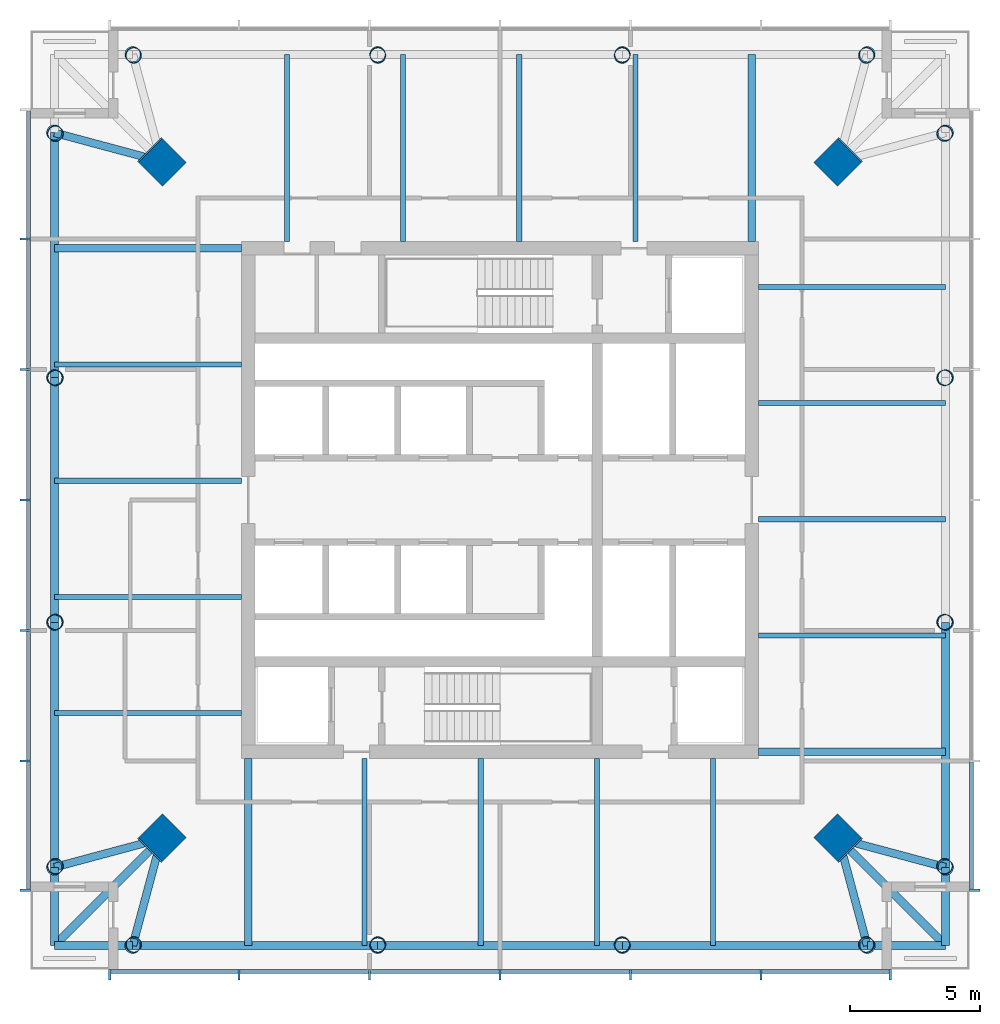
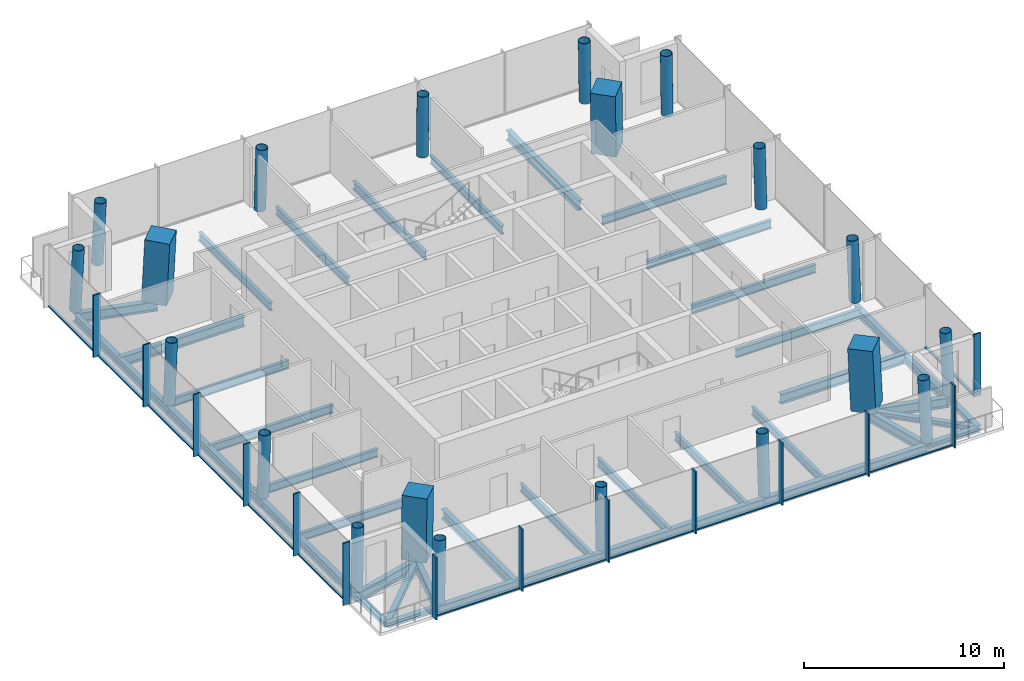
# One storey, part 1 of 7: 38 beams, 27 members, 20 columns, 3 elements without a shape of their own.
"""IFC4 building model written with IfcOpenShell, lengths in metres."""

import ifcopenshell
import ifcopenshell.guid

model = None  # the IFC model being written
_history = None  # IfcOwnerHistory: only IFC2X3 demands one
_inside = {}  # id of a spatial element -> (the spatial element, [elements in it])
_under = {}  # id of a project, library or spatial element -> (it, [spatial elements below it])
_declared = {}  # id of a project -> (the project, [libraries it declares])
_typed = {}  # id of a type object -> (the type object, [elements of that type])
_made_of = {}  # id of a material, layer set ... -> (it, [elements and type objects made of it])


def new_model(schema):
    """Start an empty IFC model of exactly this schema.

    Asked for "IFC4X3", IfcOpenShell would pick the latest addendum, in which some entities
    have other attributes; the version numbers below select the first issue.
    IFC2X3 requires an IfcOwnerHistory on every rooted entity: one is made here for all.
    """
    global model, _history
    if schema == "IFC4X3":
        model = ifcopenshell.file(schema_version=(4, 3, 0, 0))
    else:
        model = ifcopenshell.file(schema=schema)
    _inside.clear()
    _under.clear()
    _declared.clear()
    _typed.clear()
    _made_of.clear()
    _history = None
    if model.schema == "IFC2X3":
        org = make("IfcOrganization", Name="unknown")
        user = make(
            "IfcPersonAndOrganization",
            ThePerson=make("IfcPerson", FamilyName="unknown"),
            TheOrganization=org,
        )
        app = make(
            "IfcApplication",
            ApplicationDeveloper=org,
            Version="unknown",
            ApplicationFullName="unknown",
            ApplicationIdentifier="unknown",
        )
        _history = make(
            "IfcOwnerHistory",
            OwningUser=user,
            OwningApplication=app,
            ChangeAction="ADDED",
            CreationDate=0,
        )
    return model


def make(cls, **values):
    """One entity of the class cls with the attributes given. An attribute that is None is left unset."""
    return model.create_entity(
        cls, **{name: value for name, value in values.items() if value is not None}
    )


def rooted(cls, **values):
    """An entity with a GlobalId (a new one), such as an element, a storey or a relation."""
    return make(cls, GlobalId=ifcopenshell.guid.new(), OwnerHistory=_history, **values)


def si_unit(unit_type, name, prefix=None):
    """IfcSIUnit, for example si_unit("LENGTHUNIT", "METRE", prefix="MILLI")."""
    return make("IfcSIUnit", UnitType=unit_type, Prefix=prefix, Name=name)


def assignment(units):
    """IfcUnitAssignment: the units of a project."""
    return None if units is None else make("IfcUnitAssignment", Units=units)


def point(xyz):
    """IfcCartesianPoint."""
    return None if xyz is None else make("IfcCartesianPoint", Coordinates=xyz)


def direction(xyz):
    """IfcDirection."""
    return None if xyz is None else make("IfcDirection", DirectionRatios=xyz)


def frame(location, z_axis=None, x_axis=None):
    """IfcAxis2Placement3D, a coordinate frame: its origin and axes. An axis left out is left unset."""
    return make(
        "IfcAxis2Placement3D",
        Location=point(location),
        Axis=direction(z_axis),
        RefDirection=direction(x_axis),
    )


def frame_2d(location, x_axis=None):
    """IfcAxis2Placement2D, a coordinate frame in the plane: its origin and x axis."""
    return make(
        "IfcAxis2Placement2D", Location=point(location), RefDirection=direction(x_axis)
    )


def origin():
    """The frame at (0, 0, 0) with its axes left unset."""
    return frame((0.0, 0.0, 0.0))


def origin_2d():
    """The frame at (0, 0) in the plane with its x axis left unset."""
    return frame_2d((0.0, 0.0))


def place(relative_to, where):
    """IfcLocalPlacement: puts the frame where relative to a parent placement (None: the world)."""
    return make(
        "IfcLocalPlacement", PlacementRelTo=relative_to, RelativePlacement=where
    )


def context(
    kind, dimensions, precision=None, world=None, true_north=None, identifier=None
):
    """IfcGeometricRepresentationContext, for example the 3D "Model" context."""
    return make(
        "IfcGeometricRepresentationContext",
        ContextIdentifier=identifier,
        ContextType=kind,
        CoordinateSpaceDimension=dimensions,
        Precision=precision,
        WorldCoordinateSystem=world,
        TrueNorth=true_north,
    )


def subcontext(parent, identifier, kind, view, scale=None):
    """IfcGeometricRepresentationSubContext, for example "Body" below "Model"."""
    return make(
        "IfcGeometricRepresentationSubContext",
        ContextIdentifier=identifier,
        ContextType=kind,
        ParentContext=parent,
        TargetScale=scale,
        TargetView=view,
    )


def project(units=None, contexts=None):
    """IfcProject with its units and contexts."""
    return rooted(
        "IfcProject",
        Name="project",
        RepresentationContexts=contexts,
        UnitsInContext=assignment(units),
    )


def spatial(cls, under=None, at=None, **own):
    """A site, building, storey or space (cls), placed at a placement, below another one or the project."""
    s = rooted(cls, ObjectPlacement=at, **own)
    if under is not None:
        _under.setdefault(under.id(), (under, []))[1].append(s)
    return s


def profile(cls, at=None, kind="AREA", **sizes):
    """A parametric profile (cls). Its sizes go by their IFC names, for example OverallWidth=200.0."""
    return make(cls, ProfileType=kind, Position=at, **sizes)


def rectangle(**sizes):
    """IfcRectangleProfileDef."""
    return profile("IfcRectangleProfileDef", **sizes)


def hollow_circle(**sizes):
    """IfcCircleHollowProfileDef."""
    return profile("IfcCircleHollowProfileDef", **sizes)


def i_section(**sizes):
    """IfcIShapeProfileDef."""
    return profile("IfcIShapeProfileDef", **sizes)


def extrude(swept, where, along, depth):
    """IfcExtrudedAreaSolid: the profile swept, set in the frame where, extruded along a direction by depth."""
    return make(
        "IfcExtrudedAreaSolid",
        SweptArea=swept,
        Position=where,
        ExtrudedDirection=direction(along),
        Depth=depth,
    )


def shape(context_of_items, identifier, shape_type, items):
    """IfcShapeRepresentation: the items that make up one representation, for example the "Body"."""
    return make(
        "IfcShapeRepresentation",
        ContextOfItems=context_of_items,
        RepresentationIdentifier=identifier,
        RepresentationType=shape_type,
        Items=items,
    )


def material(Name=None, Category=None):
    """IfcMaterial."""
    return make("IfcMaterial", Name=Name, Category=Category)


def material_profile(
    of_material, cross_section, Name=None, Category=None, Priority=None
):
    """IfcMaterialProfile: a cross section and its material."""
    return make(
        "IfcMaterialProfile",
        Name=Name,
        Material=of_material,
        Profile=cross_section,
        Priority=Priority,
        Category=Category,
    )


def profile_set(profiles, Name=None, composite=None):
    """IfcMaterialProfileSet."""
    return make(
        "IfcMaterialProfileSet",
        Name=Name,
        MaterialProfiles=profiles,
        CompositeProfile=composite,
    )


def made_of(thing, what):
    """Note that an element or type object is made of a material, layer set ...; save() writes the relation."""
    if what is not None:
        _made_of.setdefault(what.id(), (what, []))[1].append(thing)
    return thing


def type_object(cls, material=None, **own):
    """A type object (cls), such as IfcWallType, which elements share."""
    return made_of(rooted(cls, **own), material)


def element(
    cls,
    number,
    at=None,
    inside=None,
    cuts=None,
    type_object=None,
    material=None,
    context=None,
    identifier="Body",
    shape_type=None,
    held_by="IfcProductDefinitionShape",
    body=None,
    shapes=None,
    **own,
):
    """One element of the class cls, such as IfcWall. Its Tag is "e" and its number.

    at: its placement. inside: the storey or other place that contains it. cuts: it is an
    opening in that element (IfcRelVoidsElement). A single representation is given by context,
    identifier, shape_type and body (its items); several are given by shapes. held_by: the class
    of the entity that holds the representations. save() writes the other relations.
    """
    e = rooted(cls, Tag="e%d" % number, ObjectPlacement=at, **own)
    if body is not None:
        shapes = [shape(context, identifier, shape_type, body)]
    if shapes is not None:
        e.Representation = make(held_by, Representations=shapes)
    if inside is not None:
        _inside.setdefault(inside.id(), (inside, []))[1].append(e)
    if cuts is not None:
        rooted(
            "IfcRelVoidsElement", RelatingBuildingElement=cuts, RelatedOpeningElement=e
        )
    if type_object is not None:
        _typed.setdefault(type_object.id(), (type_object, []))[1].append(e)
    return made_of(e, material)


def aggregate(whole, parts):
    """IfcRelAggregates: a whole, such as a stair, and the parts it consists of."""
    return rooted("IfcRelAggregates", RelatingObject=whole, RelatedObjects=parts)


def save(model, path):
    """Write the relations noted so far, then the file.

    IfcRelAggregates (storeys below a building ...), IfcRelContainedInSpatialStructure (elements
    in a storey), IfcRelDefinesByType, IfcRelAssociatesMaterial and IfcRelDeclares: one each for
    every whole, place, type object, material and project.
    """
    for whole, parts in _under.values():
        aggregate(whole, parts)
    for where, things in _inside.values():
        rooted(
            "IfcRelContainedInSpatialStructure",
            RelatedElements=things,
            RelatingStructure=where,
        )
    for kind, things in _typed.values():
        rooted("IfcRelDefinesByType", RelatedObjects=things, RelatingType=kind)
    for what, things in _made_of.values():
        rooted("IfcRelAssociatesMaterial", RelatedObjects=things, RelatingMaterial=what)
    for by, libraries in _declared.values():
        rooted("IfcRelDeclares", RelatingContext=by, RelatedDefinitions=libraries)
    model.write(path)


model = new_model("IFC4")

# Units and contexts
model_context = context("Model", 3, precision=1e-05, world=origin(), true_north=direction((0.0, 1.0)))
body_context = subcontext(model_context, "Body", "Model", "MODEL_VIEW")
ifc_project = project(units=[si_unit("LENGTHUNIT", "METRE"), si_unit("AREAUNIT", "SQUARE_METRE"), si_unit("VOLUMEUNIT", "CUBIC_METRE"), si_unit("PLANEANGLEUNIT", "RADIAN"), si_unit("MASSUNIT", "GRAM", prefix="KILO")], contexts=[model_context])

# Site, building, storey
site_placement = place(None, origin())
site = spatial("IfcSite", under=ifc_project, at=site_placement, CompositionType="ELEMENT")
building_placement = place(site_placement, origin())
building = spatial("IfcBuilding", under=site, at=building_placement, Name="Ostroluk Exchange", CompositionType="ELEMENT")
storey_placement = place(building_placement, frame((0.0, 0.0, 237.60009765625)))
storey = spatial("IfcBuildingStorey", under=building, at=storey_placement, Name="L61", CompositionType="ELEMENT", Elevation=237.60009765625)

# Columns
ifc_material_1 = material(Name="Concrete C50/60", Category="concrete")
ifc_material_profile_1 = material_profile(ifc_material_1, rectangle(XDim=1.300048828125, YDim=1.300048828125, at=origin_2d()), Name="RC 1300x1300")
ifc_profile_set_1 = profile_set([ifc_material_profile_1], Name="Concrete C50/60")
column_type_1 = type_object("IfcColumnType", Name="Mega column RC 1300x1300", PredefinedType="COLUMN", material=ifc_profile_set_1)
for number, where, z_axis, x_axis, name in (
    (1, (57.978515625, 58.978515625, 0.0), (-0.031900153262, -0.031900153262, 0.998981861919), (0.707106781187, -0.707106781187, 0.0), "T1 mega column NE"),
    (2, (32.021484375, 58.978515625, 0.0), (0.031900153262, -0.031900153262, 0.998981861919), (0.707106781187, 0.707106781187, 0.0), "T1 mega column NW"),
    (3, (32.021484375, 33.021484375, 0.0), (0.031900153262, 0.031900153262, 0.998981861919), (-0.707106781187, 0.707106781187, 0.0), "T1 mega column SW"),
    (4, (57.978515625, 33.021484375, 0.0), (-0.031900153262, 0.031900153262, 0.998981861919), (-0.707106781187, -0.707106781187, 0.0), "T1 mega column SE"),
):
    element("IfcColumn", number, at=place(storey_placement, frame(where, z_axis=z_axis, x_axis=x_axis)), inside=storey, type_object=column_type_1, Name=name, PredefinedType="COLUMN", context=body_context, shape_type="SweptSolid", body=[
        extrude(rectangle(XDim=1.300048828125, YDim=1.300048828125, at=origin_2d()), origin(), (0.0, 0.0, 1.0), 3.8037109375),
    ])
ifc_material_2 = material(Name="Steel S460", Category="steel")
ifc_material_profile_2 = material_profile(ifc_material_2, hollow_circle(Radius=0.304931640625, WallThickness=0.02490234375, at=origin_2d()), Name="CHS 610x25")
ifc_profile_set_2 = profile_set([ifc_material_profile_2], Name="Steel S460")
column_type_2 = type_object("IfcColumnType", Name="Perimeter column CHS 610x25", PredefinedType="COLUMN", material=ifc_profile_set_2)
for number, where, z_axis, x_axis, name in (
    (5, (62.07861328125, 31.92138671875, 0.0), (-0.031964207655, 0.031964207655, 0.998977766949), (-0.707106781187, -0.707106781187, 0.0), "T1 east face column E0"),
    (6, (62.07861328125, 60.07861328125, 0.0), (-0.031964207655, -0.031964207655, 0.998977766949), (0.707106781187, -0.707106781187, 0.0), "T1 east face column E1"),
):
    element("IfcColumn", number, at=place(storey_placement, frame(where, z_axis=z_axis, x_axis=x_axis)), inside=storey, type_object=column_type_2, Name=name, PredefinedType="COLUMN", context=body_context, shape_type="SweptSolid", body=[
        extrude(hollow_circle(Radius=0.304931640625, WallThickness=0.02490234375, at=origin_2d()), origin(), (0.0, 0.0, 1.0), 3.8037109375),
    ])
for number, where, z_axis, x_axis, name in (
    (7, (62.07861328125, 41.30712890625, 0.0), (-0.031978732291, 0.01065957743, 0.999431705566), (-0.316227766017, -0.948683298051, 0.0), "T1 east face column I1"),
    (8, (62.07861328125, 50.69287109375, 0.0), (-0.031978732291, -0.01065957743, 0.999431705566), (0.316227766017, -0.948683298051, 0.0), "T1 east face column I2"),
):
    element("IfcColumn", number, at=place(storey_placement, frame(where, z_axis=z_axis, x_axis=x_axis)), inside=storey, type_object=column_type_2, Name=name, PredefinedType="COLUMN", context=body_context, shape_type="SweptSolid", body=[
        extrude(hollow_circle(Radius=0.304931640625, WallThickness=0.02490234375, at=origin_2d()), origin(), (0.0, 0.0, 1.0), 3.802001953125),
    ])
for number, where, z_axis, x_axis, name in (
    (9, (59.07861328125, 63.07861328125, 0.0), (-0.031964207655, -0.031964207655, 0.998977766949), (0.707106781187, -0.707106781187, 0.0), "T1 north face column E0"),
    (10, (30.92138671875, 63.07861328125, 0.0), (0.031964207655, -0.031964207655, 0.998977766949), (0.707106781187, 0.707106781187, 0.0), "T1 north face column E1"),
):
    element("IfcColumn", number, at=place(storey_placement, frame(where, z_axis=z_axis, x_axis=x_axis)), inside=storey, type_object=column_type_2, Name=name, PredefinedType="COLUMN", context=body_context, shape_type="SweptSolid", body=[
        extrude(hollow_circle(Radius=0.304931640625, WallThickness=0.02490234375, at=origin_2d()), origin(), (0.0, 0.0, 1.0), 3.8037109375),
    ])
for number, where, z_axis, x_axis, name in (
    (11, (49.69287109375, 63.07861328125, 0.0), (-0.01065957743, -0.031978732291, 0.999431705566), (0.948683298051, -0.316227766017, 0.0), "T1 north face column I1"),
    (12, (40.30712890625, 63.07861328125, 0.0), (0.01065957743, -0.031978732291, 0.999431705566), (0.948683298051, 0.316227766017, 0.0), "T1 north face column I2"),
):
    element("IfcColumn", number, at=place(storey_placement, frame(where, z_axis=z_axis, x_axis=x_axis)), inside=storey, type_object=column_type_2, Name=name, PredefinedType="COLUMN", context=body_context, shape_type="SweptSolid", body=[
        extrude(hollow_circle(Radius=0.304931640625, WallThickness=0.02490234375, at=origin_2d()), origin(), (0.0, 0.0, 1.0), 3.802001953125),
    ])
for number, where, z_axis, x_axis, name in (
    (13, (27.92138671875, 60.07861328125, 0.0), (0.031964207655, -0.031964207655, 0.998977766949), (0.707106781187, 0.707106781187, 0.0), "T1 west face column E0"),
    (14, (27.92138671875, 31.92138671875, 0.0), (0.031964207655, 0.031964207655, 0.998977766949), (-0.707106781187, 0.707106781187, 0.0), "T1 west face column E1"),
):
    element("IfcColumn", number, at=place(storey_placement, frame(where, z_axis=z_axis, x_axis=x_axis)), inside=storey, type_object=column_type_2, Name=name, PredefinedType="COLUMN", context=body_context, shape_type="SweptSolid", body=[
        extrude(hollow_circle(Radius=0.304931640625, WallThickness=0.02490234375, at=origin_2d()), origin(), (0.0, 0.0, 1.0), 3.8037109375),
    ])
for number, where, z_axis, x_axis, name in (
    (15, (27.92138671875, 50.69287109375, 0.0), (0.031978732291, -0.01065957743, 0.999431705566), (0.316227766017, 0.948683298051, 0.0), "T1 west face column I1"),
    (16, (27.92138671875, 41.30712890625, 0.0), (0.031978732291, 0.01065957743, 0.999431705566), (-0.316227766017, 0.948683298051, 0.0), "T1 west face column I2"),
):
    element("IfcColumn", number, at=place(storey_placement, frame(where, z_axis=z_axis, x_axis=x_axis)), inside=storey, type_object=column_type_2, Name=name, PredefinedType="COLUMN", context=body_context, shape_type="SweptSolid", body=[
        extrude(hollow_circle(Radius=0.304931640625, WallThickness=0.02490234375, at=origin_2d()), origin(), (0.0, 0.0, 1.0), 3.802001953125),
    ])
for number, where, z_axis, x_axis, name in (
    (17, (30.92138671875, 28.92138671875, 0.0), (0.031964207655, 0.031964207655, 0.998977766949), (-0.707106781187, 0.707106781187, 0.0), "T1 south face column E0"),
    (18, (59.07861328125, 28.92138671875, 0.0), (-0.031964207655, 0.031964207655, 0.998977766949), (-0.707106781187, -0.707106781187, 0.0), "T1 south face column E1"),
):
    element("IfcColumn", number, at=place(storey_placement, frame(where, z_axis=z_axis, x_axis=x_axis)), inside=storey, type_object=column_type_2, Name=name, PredefinedType="COLUMN", context=body_context, shape_type="SweptSolid", body=[
        extrude(hollow_circle(Radius=0.304931640625, WallThickness=0.02490234375, at=origin_2d()), origin(), (0.0, 0.0, 1.0), 3.8037109375),
    ])
for number, where, z_axis, x_axis, name in (
    (19, (40.30712890625, 28.92138671875, 0.0), (0.01065957743, 0.031978732291, 0.999431705566), (-0.948683298051, 0.316227766017, 0.0), "T1 south face column I1"),
    (20, (49.69287109375, 28.92138671875, 0.0), (-0.01065957743, 0.031978732291, 0.999431705566), (-0.948683298051, -0.316227766017, 0.0), "T1 south face column I2"),
):
    element("IfcColumn", number, at=place(storey_placement, frame(where, z_axis=z_axis, x_axis=x_axis)), inside=storey, type_object=column_type_2, Name=name, PredefinedType="COLUMN", context=body_context, shape_type="SweptSolid", body=[
        extrude(hollow_circle(Radius=0.304931640625, WallThickness=0.02490234375, at=origin_2d()), origin(), (0.0, 0.0, 1.0), 3.802001953125),
    ])

# Beams
ifc_material_3 = material(Name="Steel S355", Category="steel")
ifc_material_profile_3 = material_profile(ifc_material_3, i_section(OverallWidth=0.300048828125, OverallDepth=0.300048828125, WebThickness=0.010986328125, FlangeThickness=0.01904296875, FilletRadius=0.027099609375, at=origin_2d()), Name="HEB 300")
ifc_profile_set_3 = profile_set([ifc_material_profile_3], Name="Steel S355")
beam_type_1 = type_object("IfcBeamType", Name="Balcony beam HEB 300", PredefinedType="BEAM", material=ifc_profile_set_3)
for number, where, z_axis, x_axis, name in (
    (21, (27.92138671875, 31.92138671875, -0.330078125), (0.0, -1.0, 0.0), (1.0, 0.0, 0.0), "T1 west balcony beam a"),
    (22, (30.92138671875, 28.92138671875, -0.330078125), (-1.0, 0.0, 0.0), (0.0, -1.0, 0.0), "T1 west balcony beam b"),
):
    element("IfcBeam", number, at=place(storey_placement, frame(where, z_axis=z_axis, x_axis=x_axis)), inside=storey, type_object=beam_type_1, Name=name, PredefinedType="BEAM", context=body_context, shape_type="SweptSolid", body=[
        extrude(i_section(OverallWidth=0.300048828125, OverallDepth=0.300048828125, WebThickness=0.010986328125, FlangeThickness=0.01904296875, FilletRadius=0.027099609375, at=origin_2d()), origin(), (0.0, 0.0, 1.0), 3.0),
    ])
beam_1_placement = place(storey_placement, frame((32.021484375, 33.021484375, -0.330078125), z_axis=(-0.707106781187, -0.707106781187, 0.0), x_axis=(0.707106781187, -0.707106781187, 0.0)))
element("IfcBeam", 23, at=beam_1_placement, inside=storey, type_object=beam_type_1, Name="T1 west balcony beam c", PredefinedType="BEAM", context=body_context, shape_type="SweptSolid", body=[
    extrude(i_section(OverallWidth=0.300048828125, OverallDepth=0.300048828125, WebThickness=0.010986328125, FlangeThickness=0.01904296875, FilletRadius=0.027099609375, at=origin_2d()), origin(), (0.0, 0.0, 1.0), 5.79833984375),
])
for number, where, z_axis, x_axis, name in (
    (24, (59.07861328125, 28.92138671875, -0.330078125), (1.0, 0.0, 0.0), (0.0, 1.0, 0.0), "T1 south balcony beam a"),
    (25, (62.07861328125, 31.92138671875, -0.330078125), (0.0, -1.0, 0.0), (1.0, 0.0, 0.0), "T1 south balcony beam b"),
):
    element("IfcBeam", number, at=place(storey_placement, frame(where, z_axis=z_axis, x_axis=x_axis)), inside=storey, type_object=beam_type_1, Name=name, PredefinedType="BEAM", context=body_context, shape_type="SweptSolid", body=[
        extrude(i_section(OverallWidth=0.300048828125, OverallDepth=0.300048828125, WebThickness=0.010986328125, FlangeThickness=0.01904296875, FilletRadius=0.027099609375, at=origin_2d()), origin(), (0.0, 0.0, 1.0), 3.0),
    ])
beam_2_placement = place(storey_placement, frame((57.978515625, 33.021484375, -0.330078125), z_axis=(0.707106781187, -0.707106781187, 0.0), x_axis=(0.707106781187, 0.707106781187, 0.0)))
element("IfcBeam", 26, at=beam_2_placement, inside=storey, type_object=beam_type_1, Name="T1 south balcony beam c", PredefinedType="BEAM", context=body_context, shape_type="SweptSolid", body=[
    extrude(i_section(OverallWidth=0.300048828125, OverallDepth=0.300048828125, WebThickness=0.010986328125, FlangeThickness=0.01904296875, FilletRadius=0.027099609375, at=origin_2d()), origin(), (0.0, 0.0, 1.0), 5.79833984375),
])
ifc_material_4 = material(Name="Steel S355", Category="steel")
ifc_material_profile_4 = material_profile(ifc_material_4, i_section(OverallWidth=0.300048828125, OverallDepth=0.60009765625, WebThickness=0.015380859375, FlangeThickness=0.030029296875, FilletRadius=0.027099609375, at=origin_2d()), Name="HEB 600")
ifc_profile_set_4 = profile_set([ifc_material_profile_4], Name="Steel S355")
beam_type_2 = type_object("IfcBeamType", Name="Corner edge beam HEB 600", PredefinedType="SPANDREL", material=ifc_profile_set_4)
for number, where, z_axis, x_axis, name in (
    (27, (32.021484375, 58.978515625, -0.47998046875), (-0.965838624319, 0.259144268261, 0.0), (-0.259144268261, -0.965838624319, 0.0), "T1 north corner edge beam b"),
    (28, (32.021484375, 33.021484375, -0.47998046875), (-0.965838624319, -0.259144268261, 0.0), (0.259144268261, -0.965838624319, 0.0), "T1 west corner edge beam a"),
    (29, (32.021484375, 33.021484375, -0.47998046875), (-0.259144268261, -0.965838624319, 0.0), (0.965838624319, -0.259144268261, 0.0), "T1 west corner edge beam b"),
    (30, (57.978515625, 33.021484375, -0.47998046875), (0.259144268261, -0.965838624319, 0.0), (0.965838624319, 0.259144268261, 0.0), "T1 south corner edge beam a"),
    (31, (57.978515625, 33.021484375, -0.47998046875), (0.965838624319, -0.259144268261, 0.0), (0.259144268261, 0.965838624319, 0.0), "T1 south corner edge beam b"),
):
    element("IfcBeam", number, at=place(storey_placement, frame(where, z_axis=z_axis, x_axis=x_axis)), inside=storey, type_object=beam_type_2, Name=name, PredefinedType="SPANDREL", context=body_context, shape_type="SweptSolid", body=[
        extrude(i_section(OverallWidth=0.300048828125, OverallDepth=0.60009765625, WebThickness=0.015380859375, FlangeThickness=0.030029296875, FilletRadius=0.027099609375, at=origin_2d()), origin(), (0.0, 0.0, 1.0), 4.2451171875),
    ])
ifc_material_5 = material(Name="Steel S355", Category="steel")
ifc_material_profile_5 = material_profile(ifc_material_5, i_section(OverallWidth=0.199951171875, OverallDepth=0.5, WebThickness=0.01025390625, FlangeThickness=0.01611328125, FilletRadius=0.02099609375, at=origin_2d()), Name="IPE 500")
ifc_profile_set_5 = profile_set([ifc_material_profile_5], Name="Steel S355")
beam_type_3 = type_object("IfcBeamType", Name="Floor beam IPE 500", PredefinedType="BEAM", material=ifc_profile_set_5)
for number, where, z_axis, x_axis, name in (
    (32, (54.89990234375, 40.8046875, -0.43017578125), (1.0, 0.0, 0.0), (0.0, 1.0, 0.0), "T1 east floor beam 1"),
    (33, (54.89990234375, 45.259521484375, -0.43017578125), (1.0, 0.0, 0.0), (0.0, 1.0, 0.0), "T1 east floor beam 2"),
    (34, (54.89990234375, 49.71435546875, -0.43017578125), (1.0, 0.0, 0.0), (0.0, 1.0, 0.0), "T1 east floor beam 3"),
    (35, (54.89990234375, 54.1689453125, -0.43017578125), (1.0, 0.0, 0.0), (0.0, 1.0, 0.0), "T1 east floor beam 4"),
    (36, (50.1953125, 55.89990234375, -0.43017578125), (0.0, 1.0, 0.0), (-1.0, 0.0, 0.0), "T1 north floor beam 1"),
    (37, (45.740478515625, 55.89990234375, -0.43017578125), (0.0, 1.0, 0.0), (-1.0, 0.0, 0.0), "T1 north floor beam 2"),
    (38, (41.28564453125, 55.89990234375, -0.43017578125), (0.0, 1.0, 0.0), (-1.0, 0.0, 0.0), "T1 north floor beam 3"),
    (39, (36.8310546875, 55.89990234375, -0.43017578125), (0.0, 1.0, 0.0), (-1.0, 0.0, 0.0), "T1 north floor beam 4"),
    (40, (35.10009765625, 51.1953125, -0.43017578125), (-1.0, 0.0, 0.0), (0.0, -1.0, 0.0), "T1 west floor beam 1"),
    (41, (35.10009765625, 46.740478515625, -0.43017578125), (-1.0, 0.0, 0.0), (0.0, -1.0, 0.0), "T1 west floor beam 2"),
    (42, (35.10009765625, 42.28564453125, -0.43017578125), (-1.0, 0.0, 0.0), (0.0, -1.0, 0.0), "T1 west floor beam 3"),
    (43, (35.10009765625, 37.8310546875, -0.43017578125), (-1.0, 0.0, 0.0), (0.0, -1.0, 0.0), "T1 west floor beam 4"),
    (44, (39.8046875, 36.10009765625, -0.43017578125), (0.0, -1.0, 0.0), (1.0, 0.0, 0.0), "T1 south floor beam 1"),
    (45, (44.259521484375, 36.10009765625, -0.43017578125), (0.0, -1.0, 0.0), (1.0, 0.0, 0.0), "T1 south floor beam 2"),
    (46, (48.71435546875, 36.10009765625, -0.43017578125), (0.0, -1.0, 0.0), (1.0, 0.0, 0.0), "T1 south floor beam 3"),
    (47, (53.1689453125, 36.10009765625, -0.43017578125), (0.0, -1.0, 0.0), (1.0, 0.0, 0.0), "T1 south floor beam 4"),
):
    element("IfcBeam", number, at=place(storey_placement, frame(where, z_axis=z_axis, x_axis=x_axis)), inside=storey, type_object=beam_type_3, Name=name, PredefinedType="BEAM", context=body_context, shape_type="SweptSolid", body=[
        extrude(i_section(OverallWidth=0.199951171875, OverallDepth=0.5, WebThickness=0.01025390625, FlangeThickness=0.01611328125, FilletRadius=0.02099609375, at=origin_2d()), origin(), (0.0, 0.0, 1.0), 7.1787109375),
    ])
ifc_material_6 = material(Name="Steel S355", Category="steel")
ifc_material_profile_6 = material_profile(ifc_material_6, i_section(OverallWidth=0.300048828125, OverallDepth=0.60009765625, WebThickness=0.015380859375, FlangeThickness=0.030029296875, FilletRadius=0.027099609375, at=origin_2d()), Name="HEB 600")
ifc_profile_set_6 = profile_set([ifc_material_profile_6], Name="Steel S355")
beam_type_4 = type_object("IfcBeamType", Name="Girder HEB 600", PredefinedType="BEAM", material=ifc_profile_set_6)
for number, where, z_axis, x_axis, name in (
    (48, (54.64990234375, 55.89990234375, -0.47998046875), (0.0, 1.0, 0.0), (-1.0, 0.0, 0.0), "T1 east girder"),
    (49, (35.10009765625, 55.64990234375, -0.47998046875), (-1.0, 0.0, 0.0), (0.0, -1.0, 0.0), "T1 north girder"),
    (50, (35.35009765625, 36.10009765625, -0.47998046875), (0.0, -1.0, 0.0), (1.0, 0.0, 0.0), "T1 west girder"),
    (51, (54.89990234375, 36.35009765625, -0.47998046875), (1.0, 0.0, 0.0), (0.0, 1.0, 0.0), "T1 south girder"),
):
    element("IfcBeam", number, at=place(storey_placement, frame(where, z_axis=z_axis, x_axis=x_axis)), inside=storey, type_object=beam_type_4, Name=name, PredefinedType="BEAM", context=body_context, shape_type="SweptSolid", body=[
        extrude(i_section(OverallWidth=0.300048828125, OverallDepth=0.60009765625, WebThickness=0.015380859375, FlangeThickness=0.030029296875, FilletRadius=0.027099609375, at=origin_2d()), origin(), (0.0, 0.0, 1.0), 7.1787109375),
    ])
ifc_material_7 = material(Name="Steel S355", Category="steel")
ifc_material_profile_7 = material_profile(ifc_material_7, i_section(OverallWidth=0.300048828125, OverallDepth=0.5, WebThickness=0.014404296875, FlangeThickness=0.028076171875, FilletRadius=0.027099609375, at=origin_2d()), Name="HEB 500")
ifc_profile_set_7 = profile_set([ifc_material_profile_7], Name="Steel S355")
beam_type_5 = type_object("IfcBeamType", Name="Moment-connected edge beam HEB 500", PredefinedType="SPANDREL", material=ifc_profile_set_7)
for number, where, z_axis, x_axis, name in (
    (52, (62.07861328125, 31.92138671875, -0.43017578125), (0.0, 1.0, 0.0), (-1.0, 0.0, 0.0), "T1 east edge beam 1"),
    (53, (27.92138671875, 60.07861328125, -0.43017578125), (0.0, -1.0, 0.0), (1.0, 0.0, 0.0), "T1 west edge beam 1"),
    (54, (27.92138671875, 50.69287109375, -0.43017578125), (0.0, -1.0, 0.0), (1.0, 0.0, 0.0), "T1 west edge beam 2"),
    (55, (27.92138671875, 41.30712890625, -0.43017578125), (0.0, -1.0, 0.0), (1.0, 0.0, 0.0), "T1 west edge beam 3"),
    (56, (30.92138671875, 28.92138671875, -0.43017578125), (1.0, 0.0, 0.0), (0.0, 1.0, 0.0), "T1 south edge beam 1"),
    (57, (40.30712890625, 28.92138671875, -0.43017578125), (1.0, 0.0, 0.0), (0.0, 1.0, 0.0), "T1 south edge beam 2"),
    (58, (49.69287109375, 28.92138671875, -0.43017578125), (1.0, 0.0, 0.0), (0.0, 1.0, 0.0), "T1 south edge beam 3"),
):
    element("IfcBeam", number, at=place(storey_placement, frame(where, z_axis=z_axis, x_axis=x_axis)), inside=storey, type_object=beam_type_5, Name=name, PredefinedType="SPANDREL", context=body_context, shape_type="SweptSolid", body=[
        extrude(i_section(OverallWidth=0.300048828125, OverallDepth=0.5, WebThickness=0.014404296875, FlangeThickness=0.028076171875, FilletRadius=0.027099609375, at=origin_2d()), origin(), (0.0, 0.0, 1.0), 9.3857421875),
    ])

# Curtain wall, members
ifc_material_8 = material(Name="Laminated clear glass", Category="glass")
curtain_wall_type = type_object("IfcCurtainWallType", Name="Office tower facade", PredefinedType="USERDEFINED", material=ifc_material_8)
curtain_wall_1_placement = place(storey_placement, origin())
curtain_wall_1 = element("IfcCurtainWall", 59, at=curtain_wall_1_placement, inside=storey, type_object=curtain_wall_type, Name="Office tower south facade L61", ObjectType="UNITISED CURTAIN WALL", PredefinedType="USERDEFINED")
ifc_material_9 = material(Name="Aluminium mullion", Category="aluminium")
ifc_material_profile_8 = material_profile(ifc_material_9, rectangle(XDim=0.14990234375, YDim=0.080078125, at=origin_2d()), Name="Sill transom 80 x 150")
ifc_profile_set_8 = profile_set([ifc_material_profile_8], Name="Aluminium mullion")
member_type_1 = type_object("IfcMemberType", Name="Sill transom 80 x 150", PredefinedType="USERDEFINED", material=ifc_profile_set_8)
member_1_placement = place(storey_placement, frame((30.080078125, 27.925048828125, 0.039794921875), z_axis=(1.0, 0.0, 0.0), x_axis=(0.0, 1.0, 0.0)))
member_1 = element("IfcMember", 60, at=member_1_placement, type_object=member_type_1, Name="CW-O1 transom 1.1", ObjectType="TRANSOM", PredefinedType="USERDEFINED", context=body_context, shape_type="SweptSolid", body=[
    extrude(rectangle(XDim=0.14990234375, YDim=0.080078125, at=origin_2d()), origin(), (0.0, 0.0, 1.0), 4.8798828125),
])
member_2_placement = place(storey_placement, frame((35.0400390625, 27.925048828125, 0.039794921875), z_axis=(1.0, 0.0, 0.0), x_axis=(0.0, 1.0, 0.0)))
member_2 = element("IfcMember", 61, at=member_2_placement, type_object=member_type_1, Name="CW-O1 transom 2.1", ObjectType="TRANSOM", PredefinedType="USERDEFINED", context=body_context, shape_type="SweptSolid", body=[
    extrude(rectangle(XDim=0.14990234375, YDim=0.080078125, at=origin_2d()), origin(), (0.0, 0.0, 1.0), 4.919921875),
])
member_3_placement = place(storey_placement, frame((40.0400390625, 27.925048828125, 0.039794921875), z_axis=(1.0, 0.0, 0.0), x_axis=(0.0, 1.0, 0.0)))
member_3 = element("IfcMember", 62, at=member_3_placement, type_object=member_type_1, Name="CW-O1 transom 3.1", ObjectType="TRANSOM", PredefinedType="USERDEFINED", context=body_context, shape_type="SweptSolid", body=[
    extrude(rectangle(XDim=0.14990234375, YDim=0.080078125, at=origin_2d()), origin(), (0.0, 0.0, 1.0), 4.919921875),
])
member_4_placement = place(storey_placement, frame((45.0400390625, 27.925048828125, 0.039794921875), z_axis=(1.0, 0.0, 0.0), x_axis=(0.0, 1.0, 0.0)))
member_4 = element("IfcMember", 63, at=member_4_placement, type_object=member_type_1, Name="CW-O1 transom 4.1", ObjectType="TRANSOM", PredefinedType="USERDEFINED", context=body_context, shape_type="SweptSolid", body=[
    extrude(rectangle(XDim=0.14990234375, YDim=0.080078125, at=origin_2d()), origin(), (0.0, 0.0, 1.0), 4.919921875),
])
member_5_placement = place(storey_placement, frame((50.0400390625, 27.925048828125, 0.039794921875), z_axis=(1.0, 0.0, 0.0), x_axis=(0.0, 1.0, 0.0)))
member_5 = element("IfcMember", 64, at=member_5_placement, type_object=member_type_1, Name="CW-O1 transom 5.1", ObjectType="TRANSOM", PredefinedType="USERDEFINED", context=body_context, shape_type="SweptSolid", body=[
    extrude(rectangle(XDim=0.14990234375, YDim=0.080078125, at=origin_2d()), origin(), (0.0, 0.0, 1.0), 4.919921875),
])
member_6_placement = place(storey_placement, frame((55.0400390625, 27.925048828125, 0.039794921875), z_axis=(1.0, 0.0, 0.0), x_axis=(0.0, 1.0, 0.0)))
member_6 = element("IfcMember", 65, at=member_6_placement, type_object=member_type_1, Name="CW-O1 transom 6.1", ObjectType="TRANSOM", PredefinedType="USERDEFINED", context=body_context, shape_type="SweptSolid", body=[
    extrude(rectangle(XDim=0.14990234375, YDim=0.080078125, at=origin_2d()), origin(), (0.0, 0.0, 1.0), 4.8798828125),
])

# Curtain wall, member
curtain_wall_2_placement = place(storey_placement, origin())
curtain_wall_2 = element("IfcCurtainWall", 66, at=curtain_wall_2_placement, inside=storey, type_object=curtain_wall_type, Name="Office tower east facade L61", ObjectType="UNITISED CURTAIN WALL", PredefinedType="USERDEFINED")
member_7_placement = place(storey_placement, frame((63.074951171875, 31.080078125, 0.039794921875), z_axis=(0.0, 1.0, 0.0), x_axis=(-1.0, 0.0, 0.0)))
member_7 = element("IfcMember", 67, at=member_7_placement, type_object=member_type_1, Name="CW-O1 transom 1.1", ObjectType="TRANSOM", PredefinedType="USERDEFINED", context=body_context, shape_type="SweptSolid", body=[
    extrude(rectangle(XDim=0.14990234375, YDim=0.080078125, at=origin_2d()), origin(), (0.0, 0.0, 1.0), 4.8798828125),
])

# Curtain wall, members
curtain_wall_3_placement = place(storey_placement, origin())
curtain_wall_3 = element("IfcCurtainWall", 68, at=curtain_wall_3_placement, inside=storey, type_object=curtain_wall_type, Name="Office tower west facade L61", ObjectType="UNITISED CURTAIN WALL", PredefinedType="USERDEFINED")
member_8_placement = place(storey_placement, frame((26.925048828125, 60.919921875, 0.039794921875), z_axis=(0.0, -1.0, 0.0), x_axis=(1.0, 0.0, 0.0)))
member_8 = element("IfcMember", 69, at=member_8_placement, type_object=member_type_1, Name="CW-O1 transom 1.1", ObjectType="TRANSOM", PredefinedType="USERDEFINED", context=body_context, shape_type="SweptSolid", body=[
    extrude(rectangle(XDim=0.14990234375, YDim=0.080078125, at=origin_2d()), origin(), (0.0, 0.0, 1.0), 4.8798828125),
])
member_9_placement = place(storey_placement, frame((26.925048828125, 55.9599609375, 0.039794921875), z_axis=(0.0, -1.0, 0.0), x_axis=(1.0, 0.0, 0.0)))
member_9 = element("IfcMember", 70, at=member_9_placement, type_object=member_type_1, Name="CW-O1 transom 2.1", ObjectType="TRANSOM", PredefinedType="USERDEFINED", context=body_context, shape_type="SweptSolid", body=[
    extrude(rectangle(XDim=0.14990234375, YDim=0.080078125, at=origin_2d()), origin(), (0.0, 0.0, 1.0), 4.919921875),
])
member_10_placement = place(storey_placement, frame((26.925048828125, 50.9599609375, 0.039794921875), z_axis=(0.0, -1.0, 0.0), x_axis=(1.0, 0.0, 0.0)))
member_10 = element("IfcMember", 71, at=member_10_placement, type_object=member_type_1, Name="CW-O1 transom 3.1", ObjectType="TRANSOM", PredefinedType="USERDEFINED", context=body_context, shape_type="SweptSolid", body=[
    extrude(rectangle(XDim=0.14990234375, YDim=0.080078125, at=origin_2d()), origin(), (0.0, 0.0, 1.0), 4.919921875),
])
member_11_placement = place(storey_placement, frame((26.925048828125, 45.9599609375, 0.039794921875), z_axis=(0.0, -1.0, 0.0), x_axis=(1.0, 0.0, 0.0)))
member_11 = element("IfcMember", 72, at=member_11_placement, type_object=member_type_1, Name="CW-O1 transom 4.1", ObjectType="TRANSOM", PredefinedType="USERDEFINED", context=body_context, shape_type="SweptSolid", body=[
    extrude(rectangle(XDim=0.14990234375, YDim=0.080078125, at=origin_2d()), origin(), (0.0, 0.0, 1.0), 4.919921875),
])
member_12_placement = place(storey_placement, frame((26.925048828125, 40.9599609375, 0.039794921875), z_axis=(0.0, -1.0, 0.0), x_axis=(1.0, 0.0, 0.0)))
member_12 = element("IfcMember", 73, at=member_12_placement, type_object=member_type_1, Name="CW-O1 transom 5.1", ObjectType="TRANSOM", PredefinedType="USERDEFINED", context=body_context, shape_type="SweptSolid", body=[
    extrude(rectangle(XDim=0.14990234375, YDim=0.080078125, at=origin_2d()), origin(), (0.0, 0.0, 1.0), 4.919921875),
])
member_13_placement = place(storey_placement, frame((26.925048828125, 35.9599609375, 0.039794921875), z_axis=(0.0, -1.0, 0.0), x_axis=(1.0, 0.0, 0.0)))
member_13 = element("IfcMember", 74, at=member_13_placement, type_object=member_type_1, Name="CW-O1 transom 6.1", ObjectType="TRANSOM", PredefinedType="USERDEFINED", context=body_context, shape_type="SweptSolid", body=[
    extrude(rectangle(XDim=0.14990234375, YDim=0.080078125, at=origin_2d()), origin(), (0.0, 0.0, 1.0), 4.8798828125),
])

# Member
ifc_material_10 = material(Name="Aluminium mullion with limestone facing", Category="masonry")
ifc_material_profile_9 = material_profile(ifc_material_10, rectangle(XDim=0.39990234375, YDim=0.080078125, at=origin_2d()), Name="Tracery mullion 80 x 400")
ifc_profile_set_9 = profile_set([ifc_material_profile_9], Name="Aluminium mullion with limestone facing")
member_type_2 = type_object("IfcMemberType", Name="Tracery mullion 80 x 400", PredefinedType="MULLION", material=ifc_profile_set_9)
member_14_placement = place(storey_placement, frame((30.0400390625, 27.800048828125, 0.0), z_axis=(0.0, 0.0, 1.0), x_axis=(0.0, 1.0, 0.0)))
member_14 = element("IfcMember", 75, at=member_14_placement, type_object=member_type_2, Name="CW-O1 mullion 1", PredefinedType="MULLION", context=body_context, shape_type="SweptSolid", body=[
    extrude(rectangle(XDim=0.39990234375, YDim=0.080078125, at=origin_2d()), origin(), (0.0, 0.0, 1.0), 3.7998046875),
])

member_15_placement = place(storey_placement, frame((35.0, 27.800048828125, 0.0), z_axis=(0.0, 0.0, 1.0), x_axis=(0.0, 1.0, 0.0)))
member_15 = element("IfcMember", 76, at=member_15_placement, type_object=member_type_2, Name="CW-O1 mullion 2", PredefinedType="MULLION", context=body_context, shape_type="SweptSolid", body=[
    extrude(rectangle(XDim=0.39990234375, YDim=0.080078125, at=origin_2d()), origin(), (0.0, 0.0, 1.0), 3.7998046875),
])

member_16_placement = place(storey_placement, frame((40.0, 27.800048828125, 0.0), z_axis=(0.0, 0.0, 1.0), x_axis=(0.0, 1.0, 0.0)))
member_16 = element("IfcMember", 77, at=member_16_placement, type_object=member_type_2, Name="CW-O1 mullion 3", PredefinedType="MULLION", context=body_context, shape_type="SweptSolid", body=[
    extrude(rectangle(XDim=0.39990234375, YDim=0.080078125, at=origin_2d()), origin(), (0.0, 0.0, 1.0), 3.7998046875),
])

member_17_placement = place(storey_placement, frame((45.0, 27.800048828125, 0.0), z_axis=(0.0, 0.0, 1.0), x_axis=(0.0, 1.0, 0.0)))
member_17 = element("IfcMember", 78, at=member_17_placement, type_object=member_type_2, Name="CW-O1 mullion 4", PredefinedType="MULLION", context=body_context, shape_type="SweptSolid", body=[
    extrude(rectangle(XDim=0.39990234375, YDim=0.080078125, at=origin_2d()), origin(), (0.0, 0.0, 1.0), 3.7998046875),
])

member_18_placement = place(storey_placement, frame((50.0, 27.800048828125, 0.0), z_axis=(0.0, 0.0, 1.0), x_axis=(0.0, 1.0, 0.0)))
member_18 = element("IfcMember", 79, at=member_18_placement, type_object=member_type_2, Name="CW-O1 mullion 5", PredefinedType="MULLION", context=body_context, shape_type="SweptSolid", body=[
    extrude(rectangle(XDim=0.39990234375, YDim=0.080078125, at=origin_2d()), origin(), (0.0, 0.0, 1.0), 3.7998046875),
])

member_19_placement = place(storey_placement, frame((55.0, 27.800048828125, 0.0), z_axis=(0.0, 0.0, 1.0), x_axis=(0.0, 1.0, 0.0)))
member_19 = element("IfcMember", 80, at=member_19_placement, type_object=member_type_2, Name="CW-O1 mullion 6", PredefinedType="MULLION", context=body_context, shape_type="SweptSolid", body=[
    extrude(rectangle(XDim=0.39990234375, YDim=0.080078125, at=origin_2d()), origin(), (0.0, 0.0, 1.0), 3.7998046875),
])

member_20_placement = place(storey_placement, frame((59.9599609375, 27.800048828125, 0.0), z_axis=(0.0, 0.0, 1.0), x_axis=(0.0, 1.0, 0.0)))
member_20 = element("IfcMember", 81, at=member_20_placement, type_object=member_type_2, Name="CW-O1 mullion 7", PredefinedType="MULLION", context=body_context, shape_type="SweptSolid", body=[
    extrude(rectangle(XDim=0.39990234375, YDim=0.080078125, at=origin_2d()), origin(), (0.0, 0.0, 1.0), 3.7998046875),
])

aggregate(curtain_wall_1, [member_14, member_15, member_16, member_17, member_18, member_19, member_20, member_1, member_2, member_3, member_4, member_5, member_6])

member_21_placement = place(storey_placement, frame((63.199951171875, 31.0400390625, 0.0), z_axis=(0.0, 0.0, 1.0), x_axis=(-1.0, 0.0, 0.0)))
member_21 = element("IfcMember", 82, at=member_21_placement, type_object=member_type_2, Name="CW-O1 mullion 1", PredefinedType="MULLION", context=body_context, shape_type="SweptSolid", body=[
    extrude(rectangle(XDim=0.39990234375, YDim=0.080078125, at=origin_2d()), origin(), (0.0, 0.0, 1.0), 3.7998046875),
])

aggregate(curtain_wall_2, [member_21, member_7])

member_22_placement = place(storey_placement, frame((26.800048828125, 56.0, 0.0), z_axis=(0.0, 0.0, 1.0), x_axis=(1.0, 0.0, 0.0)))
member_22 = element("IfcMember", 83, at=member_22_placement, type_object=member_type_2, Name="CW-O1 mullion 2", PredefinedType="MULLION", context=body_context, shape_type="SweptSolid", body=[
    extrude(rectangle(XDim=0.39990234375, YDim=0.080078125, at=origin_2d()), origin(), (0.0, 0.0, 1.0), 3.7998046875),
])

member_23_placement = place(storey_placement, frame((26.800048828125, 51.0, 0.0), z_axis=(0.0, 0.0, 1.0), x_axis=(1.0, 0.0, 0.0)))
member_23 = element("IfcMember", 84, at=member_23_placement, type_object=member_type_2, Name="CW-O1 mullion 3", PredefinedType="MULLION", context=body_context, shape_type="SweptSolid", body=[
    extrude(rectangle(XDim=0.39990234375, YDim=0.080078125, at=origin_2d()), origin(), (0.0, 0.0, 1.0), 3.7998046875),
])

member_24_placement = place(storey_placement, frame((26.800048828125, 46.0, 0.0), z_axis=(0.0, 0.0, 1.0), x_axis=(1.0, 0.0, 0.0)))
member_24 = element("IfcMember", 85, at=member_24_placement, type_object=member_type_2, Name="CW-O1 mullion 4", PredefinedType="MULLION", context=body_context, shape_type="SweptSolid", body=[
    extrude(rectangle(XDim=0.39990234375, YDim=0.080078125, at=origin_2d()), origin(), (0.0, 0.0, 1.0), 3.7998046875),
])

member_25_placement = place(storey_placement, frame((26.800048828125, 41.0, 0.0), z_axis=(0.0, 0.0, 1.0), x_axis=(1.0, 0.0, 0.0)))
member_25 = element("IfcMember", 86, at=member_25_placement, type_object=member_type_2, Name="CW-O1 mullion 5", PredefinedType="MULLION", context=body_context, shape_type="SweptSolid", body=[
    extrude(rectangle(XDim=0.39990234375, YDim=0.080078125, at=origin_2d()), origin(), (0.0, 0.0, 1.0), 3.7998046875),
])

member_26_placement = place(storey_placement, frame((26.800048828125, 36.0, 0.0), z_axis=(0.0, 0.0, 1.0), x_axis=(1.0, 0.0, 0.0)))
member_26 = element("IfcMember", 87, at=member_26_placement, type_object=member_type_2, Name="CW-O1 mullion 6", PredefinedType="MULLION", context=body_context, shape_type="SweptSolid", body=[
    extrude(rectangle(XDim=0.39990234375, YDim=0.080078125, at=origin_2d()), origin(), (0.0, 0.0, 1.0), 3.7998046875),
])

member_27_placement = place(storey_placement, frame((26.800048828125, 31.0400390625, 0.0), z_axis=(0.0, 0.0, 1.0), x_axis=(1.0, 0.0, 0.0)))
member_27 = element("IfcMember", 88, at=member_27_placement, type_object=member_type_2, Name="CW-O1 mullion 7", PredefinedType="MULLION", context=body_context, shape_type="SweptSolid", body=[
    extrude(rectangle(XDim=0.39990234375, YDim=0.080078125, at=origin_2d()), origin(), (0.0, 0.0, 1.0), 3.7998046875),
])

aggregate(curtain_wall_3, [member_22, member_23, member_24, member_25, member_26, member_27, member_8, member_9, member_10, member_11, member_12, member_13])

save(model, "model.ifc")
